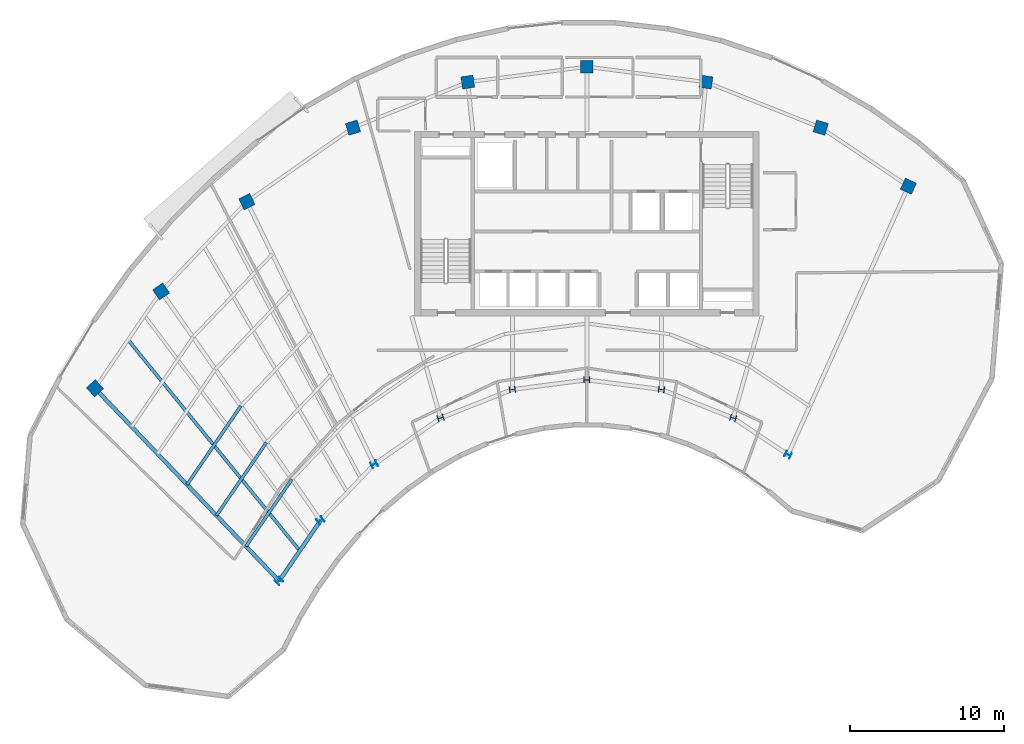
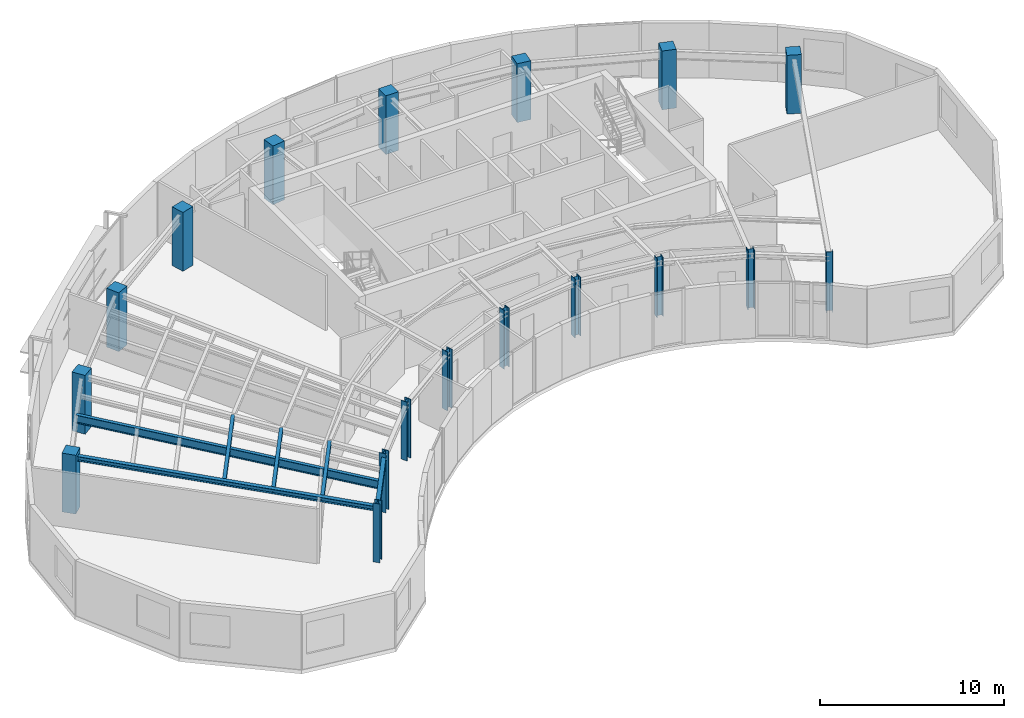
# One storey, part 1 of 13: 18 columns, 6 beams.
"""IFC4 building model written with IfcOpenShell, lengths in metres."""

from ifc_helpers import new_model, si_unit, direction, frame, origin, origin_2d, place, context, subcontext, project, spatial, rectangle, i_section, extrude, source, transform, mapped, material, material_profile, profile_set, type_object, type_shapes, element, save


model = new_model("IFC4")

# Units and contexts
model_context = context("Model", 3, precision=1e-05, world=origin(), true_north=direction((0.0, 1.0)))
body_context = subcontext(model_context, "Body", "Model", "MODEL_VIEW")
ifc_project = project(units=[si_unit("LENGTHUNIT", "METRE"), si_unit("AREAUNIT", "SQUARE_METRE"), si_unit("VOLUMEUNIT", "CUBIC_METRE"), si_unit("PLANEANGLEUNIT", "RADIAN"), si_unit("MASSUNIT", "GRAM", prefix="KILO")], contexts=[model_context])

# Site, building, storey
site_placement = place(None, origin())
site = spatial("IfcSite", under=ifc_project, at=site_placement, CompositionType="ELEMENT")
building_placement = place(site_placement, origin())
building = spatial("IfcBuilding", under=site, at=building_placement, Name="Breltana Convention Tower", CompositionType="ELEMENT")
storey_placement = place(building_placement, frame((0.0, 0.0, 271.800048828125)))
storey = spatial("IfcBuildingStorey", under=building, at=storey_placement, Name="L66", CompositionType="ELEMENT", Elevation=271.800048828125)

# Columns
ifc_material_1 = material(Name="Steel ASTM A992 Grade 50", Category="steel")
ifc_material_profile_1 = material_profile(ifc_material_1, i_section(OverallWidth=0.39892578125, OverallDepth=0.386962890625, WebThickness=0.02099609375, FlangeThickness=0.033203125, at=origin_2d()), Name="W14X176")
ifc_profile_set_1 = profile_set([ifc_material_profile_1], Name="Steel ASTM A992 Grade 50")
column_type_1 = type_object("IfcColumnType", Name="COL-STL-W14X176", PredefinedType="COLUMN", material=ifc_profile_set_1)
shared_shape_1 = source(origin(), body_context, "Body", "SweptSolid", [
    extrude(i_section(OverallWidth=0.39892578125, OverallDepth=0.386962890625, WebThickness=0.02099609375, FlangeThickness=0.033203125, at=origin_2d()), origin(), (0.0, 0.0, 1.0), 3.89990234375),
])
type_shapes(column_type_1, [shared_shape_1])
for number, where, z_axis, x_axis, name in (
    (1, (27.984619140625, 42.95458984375, 0.0), (0.0, 0.0, 1.0), (-0.690756218984, 0.723087716626, 0.0), "L66 Tower Column R01-IN"),
    (2, (30.67724609375, 46.892333984375, 0.0), (0.0, 0.0, 1.0), (-0.571143442153, 0.820850271661, 0.0), "L66 Tower Column R02-IN"),
    (3, (34.166259765625, 50.544921875, 0.0), (0.0, 0.0, 1.0), (-0.436173672171, 0.899862504889, 0.0), "L66 Tower Column R03-IN"),
    (4, (38.485107421875, 53.5576171875, 0.0), (0.0, 0.0, 1.0), (-0.288697611798, 0.957420330337, 0.0), "L66 Tower Column R04-IN"),
    (5, (43.153564453125, 55.41064453125, 0.0), (0.0, 0.0, 1.0), (-0.143492621991, 0.98965138682, 0.0), "L66 Tower Column R05-IN"),
    (6, (48.0, 56.035888671875, 0.0), (0.0, 0.0, 1.0), (0.0, 1.0, 0.0), "L66 Tower Column R06-IN"),
    (7, (52.846435546875, 55.41064453125, 0.0), (0.0, 0.0, 1.0), (0.143492621991, 0.98965138682, 0.0), "L66 Tower Column R07-IN"),
    (8, (57.514892578125, 53.5576171875, 0.0), (0.0, 0.0, 1.0), (0.288697611798, 0.957420330337, 0.0), "L66 Tower Column R08-IN"),
    (9, (61.08203125, 51.174560546875, 0.0), (0.0, 0.0, 1.0), (0.409126902895, 0.912477494148, 0.0), "L66 Tower Column R09-IN"),
):
    element("IfcColumn", number, at=place(storey_placement, frame(where, z_axis=z_axis, x_axis=x_axis)), inside=storey, type_object=column_type_1, Name=name, PredefinedType="COLUMN", context=body_context, shape_type="MappedRepresentation", body=[
        mapped(shared_shape_1, transform((0.0, 0.0, 0.0), scale=1.0)),
    ])
ifc_material_2 = material(Name="Concrete C50/60", Category="concrete")
ifc_material_profile_2 = material_profile(ifc_material_2, rectangle(XDim=0.800048828125, YDim=0.800048828125, at=origin_2d()), Name="RC-COL-800X800")
ifc_profile_set_2 = profile_set([ifc_material_profile_2], Name="Concrete C50/60")
column_type_2 = type_object("IfcColumnType", Name="COL-RC-800", PredefinedType="COLUMN", material=ifc_profile_set_2)
shared_shape_2 = source(origin(), body_context, "Body", "SweptSolid", [
    extrude(rectangle(XDim=0.800048828125, YDim=0.800048828125, at=origin_2d()), origin(), (0.0, 0.0, 1.0), 3.89990234375),
])
for number, where, z_axis, x_axis, name in (
    (10, (16.0068359375, 55.494384765625, 0.0), (0.0, 0.0, 1.0), (-0.690756218984, 0.723087716626, 0.0), "L66 Tower Column R01-OUT"),
    (11, (20.310791015625, 61.78857421875, 0.0), (0.0, 0.0, 1.0), (-0.571143442153, 0.820850271661, 0.0), "L66 Tower Column R02-OUT"),
    (12, (25.8876953125, 67.626953125, 0.0), (0.0, 0.0, 1.0), (-0.436173672171, 0.899862504889, 0.0), "L66 Tower Column R03-OUT"),
    (13, (32.791015625, 72.4423828125, 0.0), (0.0, 0.0, 1.0), (-0.288697611798, 0.957420330337, 0.0), "L66 Tower Column R04-OUT"),
    (14, (40.253173828125, 75.404296875, 0.0), (0.0, 0.0, 1.0), (-0.143492621991, 0.98965138682, 0.0), "L66 Tower Column R05-OUT"),
    (15, (48.0, 76.404052734375, 0.0), (0.0, 0.0, 1.0), (0.0, 1.0, 0.0), "L66 Tower Column R06-OUT"),
    (16, (55.746826171875, 75.404296875, 0.0), (0.0, 0.0, 1.0), (0.143492621991, 0.98965138682, 0.0), "L66 Tower Column R07-OUT"),
    (17, (63.208984375, 72.4423828125, 0.0), (0.0, 0.0, 1.0), (0.288697611798, 0.957420330337, 0.0), "L66 Tower Column R08-OUT"),
    (18, (68.910400390625, 68.63330078125, 0.0), (0.0, 0.0, 1.0), (0.409126902895, 0.912477494148, 0.0), "L66 Tower Column R09-OUT"),
):
    element("IfcColumn", number, at=place(storey_placement, frame(where, z_axis=z_axis, x_axis=x_axis)), inside=storey, type_object=column_type_2, Name=name, PredefinedType="COLUMN", context=body_context, shape_type="MappedRepresentation", body=[
        mapped(shared_shape_2, transform((0.0, 0.0, 0.0), scale=1.0)),
    ])

# Beams
ifc_material_profile_3 = material_profile(ifc_material_1, i_section(OverallWidth=0.2099609375, OverallDepth=0.537109375, WebThickness=0.010986328125, FlangeThickness=0.017333984375, at=origin_2d()), Name="W21X68")
ifc_profile_set_3 = profile_set([ifc_material_profile_3], Name="Steel ASTM A992 Grade 50")
beam_type_1 = type_object("IfcBeamType", Name="BM-JSG-04", PredefinedType="JOIST", material=ifc_profile_set_3)
shared_shape_3 = source(origin(), body_context, "Body", "SweptSolid", [
    extrude(i_section(OverallWidth=0.2099609375, OverallDepth=0.537109375, WebThickness=0.010986328125, FlangeThickness=0.017333984375, at=origin_2d()), origin(), (0.0, 0.0, 1.0), 17.691650390625),
])
beam_1_placement = place(storey_placement, frame((29.330810546875, 44.923583984375, 3.371337890625), z_axis=(-0.631476958478, 0.775394642044, 0.0), x_axis=(-0.775394642044, -0.631476958478, 0.0)))
element("IfcBeam", 19, at=beam_1_placement, inside=storey, type_object=beam_type_1, Name="L66 Mid-Bay Radial Trimmer 01", PredefinedType="JOIST", context=body_context, shape_type="MappedRepresentation", body=[
    mapped(shared_shape_3, transform((0.0, 0.0, 0.0), scale=1.0)),
])
ifc_material_profile_4 = material_profile(ifc_material_1, i_section(OverallWidth=0.25390625, OverallDepth=0.305908203125, WebThickness=0.0087890625, FlangeThickness=0.0146484375, at=origin_2d()), Name="W12X53")
ifc_profile_set_4 = profile_set([ifc_material_profile_4], Name="Steel ASTM A992 Grade 50")
beam_type_2 = type_object("IfcBeamType", Name="BM-CN-W12X53", PredefinedType="BEAM", material=ifc_profile_set_4)
shared_shape_4 = source(origin(), body_context, "Body", "SweptSolid", [
    extrude(i_section(OverallWidth=0.25390625, OverallDepth=0.305908203125, WebThickness=0.0087890625, FlangeThickness=0.0146484375, at=origin_2d()), origin(), (0.0, 0.0, 1.0), 17.341064453125),
])
type_shapes(beam_type_2, [shared_shape_4])
beam_2_placement = place(storey_placement, frame((27.984619140625, 42.95458984375, 3.487060546875), z_axis=(-0.690716462293, 0.723125693581, 0.0), x_axis=(-0.723125693581, -0.690716462293, 0.0)))
element("IfcBeam", 20, at=beam_2_placement, inside=storey, type_object=beam_type_2, Name="L66 Radial Floor Girder R01", PredefinedType="BEAM", context=body_context, shape_type="MappedRepresentation", body=[
    mapped(shared_shape_4, transform((0.0, 0.0, 0.0), scale=1.0)),
])
shared_shape_5 = source(origin(), body_context, "Body", "SweptSolid", [
    extrude(i_section(OverallWidth=0.25390625, OverallDepth=0.305908203125, WebThickness=0.0087890625, FlangeThickness=0.0146484375, at=origin_2d()), origin(), (0.0, 0.0, 1.0), 4.770263671875),
])
beam_3_placement = place(storey_placement, frame((27.984619140625, 42.95458984375, 3.487060546875), z_axis=(0.564452719055, 0.82546540082, 0.0), x_axis=(-0.82546540082, 0.564452719055, 0.0)))
element("IfcBeam", 21, at=beam_3_placement, inside=storey, type_object=beam_type_2, Name="L66 Inner Ring Beam 01", PredefinedType="BEAM", context=body_context, shape_type="MappedRepresentation", body=[
    mapped(shared_shape_5, transform((0.0, 0.0, 0.0), scale=1.0)),
])
ifc_material_profile_5 = material_profile(ifc_material_1, i_section(OverallWidth=0.201904296875, OverallDepth=0.2470703125, WebThickness=0.00732421875, FlangeThickness=0.010986328125, at=origin_2d()), Name="W10X33")
ifc_profile_set_5 = profile_set([ifc_material_profile_5], Name="Steel ASTM A992 Grade 50")
beam_type_3 = type_object("IfcBeamType", Name="BM-JSG-11", PredefinedType="JOIST", material=ifc_profile_set_5)
shared_shape_6 = source(origin(), body_context, "Body", "SweptSolid", [
    extrude(i_section(OverallWidth=0.201904296875, OverallDepth=0.2470703125, WebThickness=0.00732421875, FlangeThickness=0.010986328125, at=origin_2d()), origin(), (0.0, 0.0, 1.0), 5.2841796875),
])
beam_4_placement = place(storey_placement, frame((25.82861328125, 45.2119140625, 3.516357421875), z_axis=(0.564460290479, 0.825460223434, 0.0), x_axis=(-0.825460223434, 0.564460290479, 0.0)))
element("IfcBeam", 22, at=beam_4_placement, inside=storey, type_object=beam_type_3, Name="L66 Composite Floor Joist 01.1", PredefinedType="JOIST", context=body_context, shape_type="MappedRepresentation", body=[
    mapped(shared_shape_6, transform((0.0, 0.0, 0.0), scale=1.0)),
])
shared_shape_7 = source(origin(), body_context, "Body", "SweptSolid", [
    extrude(i_section(OverallWidth=0.201904296875, OverallDepth=0.2470703125, WebThickness=0.00732421875, FlangeThickness=0.010986328125, at=origin_2d()), origin(), (0.0, 0.0, 1.0), 5.74072265625),
])
beam_5_placement = place(storey_placement, frame((23.912109375, 47.21826171875, 3.516357421875), z_axis=(0.5644658829, 0.825456399238, 0.0), x_axis=(-0.825456399238, 0.5644658829, 0.0)))
element("IfcBeam", 23, at=beam_5_placement, inside=storey, type_object=beam_type_3, Name="L66 Composite Floor Joist 01.2", PredefinedType="JOIST", context=body_context, shape_type="MappedRepresentation", body=[
    mapped(shared_shape_7, transform((0.0, 0.0, 0.0), scale=1.0)),
])
shared_shape_8 = source(origin(), body_context, "Body", "SweptSolid", [
    extrude(i_section(OverallWidth=0.201904296875, OverallDepth=0.2470703125, WebThickness=0.00732421875, FlangeThickness=0.010986328125, at=origin_2d()), origin(), (0.0, 0.0, 1.0), 6.19775390625),
])
beam_6_placement = place(storey_placement, frame((21.99560546875, 49.224609375, 3.516357421875), z_axis=(0.56447913712, 0.825447335544, 0.0), x_axis=(-0.825447335544, 0.56447913712, 0.0)))
element("IfcBeam", 24, at=beam_6_placement, inside=storey, type_object=beam_type_3, Name="L66 Composite Floor Joist 01.3", PredefinedType="JOIST", context=body_context, shape_type="MappedRepresentation", body=[
    mapped(shared_shape_8, transform((0.0, 0.0, 0.0), scale=1.0)),
])

save(model, "model.ifc")
